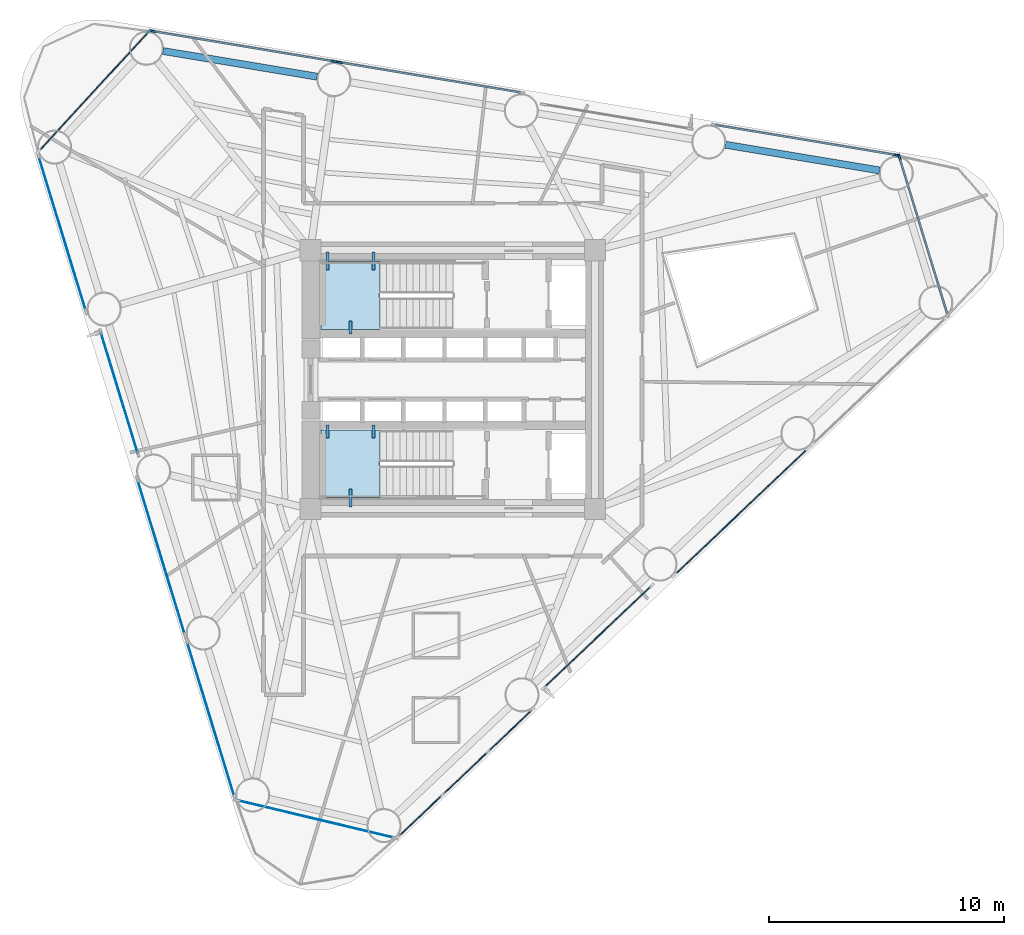
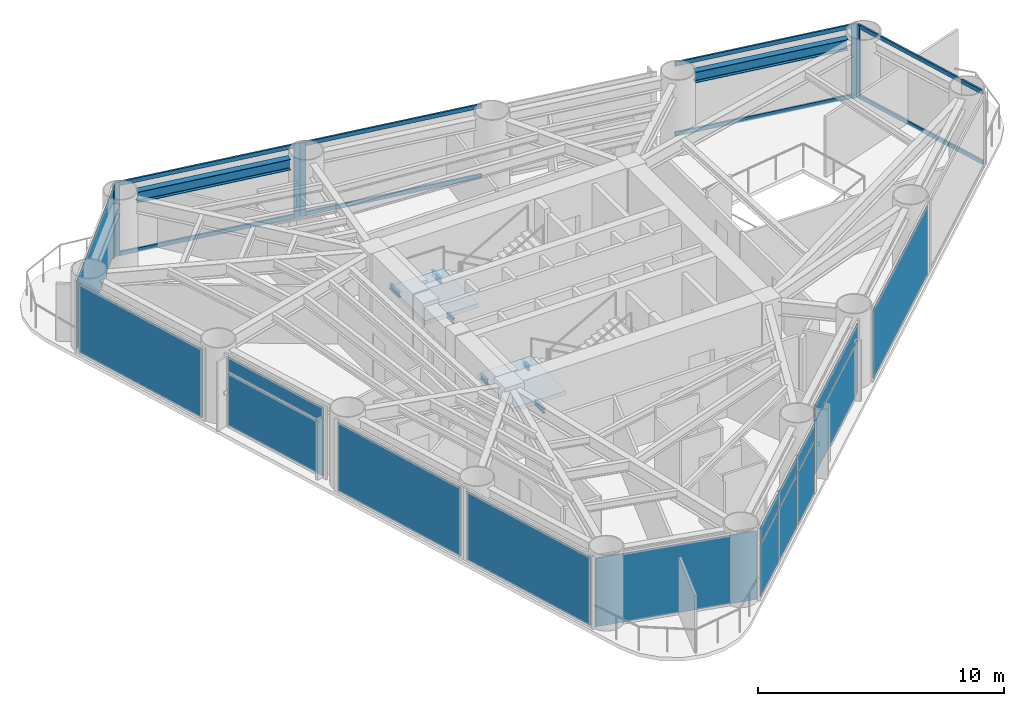
# One storey, part 4 of 10: 16 plates, 14 members, 8 beams, 2 slabs, 15 elements without a shape of their own.
"""IFC4 building model written with IfcOpenShell, lengths in metres."""

import ifcopenshell
import ifcopenshell.guid

model = None  # the IFC model being written
_history = None  # IfcOwnerHistory: only IFC2X3 demands one
_inside = {}  # id of a spatial element -> (the spatial element, [elements in it])
_under = {}  # id of a project, library or spatial element -> (it, [spatial elements below it])
_declared = {}  # id of a project -> (the project, [libraries it declares])
_typed = {}  # id of a type object -> (the type object, [elements of that type])
_made_of = {}  # id of a material, layer set ... -> (it, [elements and type objects made of it])


def new_model(schema):
    """Start an empty IFC model of exactly this schema.

    Asked for "IFC4X3", IfcOpenShell would pick the latest addendum, in which some entities
    have other attributes; the version numbers below select the first issue.
    IFC2X3 requires an IfcOwnerHistory on every rooted entity: one is made here for all.
    """
    global model, _history
    if schema == "IFC4X3":
        model = ifcopenshell.file(schema_version=(4, 3, 0, 0))
    else:
        model = ifcopenshell.file(schema=schema)
    _inside.clear()
    _under.clear()
    _declared.clear()
    _typed.clear()
    _made_of.clear()
    _history = None
    if model.schema == "IFC2X3":
        org = make("IfcOrganization", Name="unknown")
        user = make(
            "IfcPersonAndOrganization",
            ThePerson=make("IfcPerson", FamilyName="unknown"),
            TheOrganization=org,
        )
        app = make(
            "IfcApplication",
            ApplicationDeveloper=org,
            Version="unknown",
            ApplicationFullName="unknown",
            ApplicationIdentifier="unknown",
        )
        _history = make(
            "IfcOwnerHistory",
            OwningUser=user,
            OwningApplication=app,
            ChangeAction="ADDED",
            CreationDate=0,
        )
    return model


def make(cls, **values):
    """One entity of the class cls with the attributes given. An attribute that is None is left unset."""
    return model.create_entity(
        cls, **{name: value for name, value in values.items() if value is not None}
    )


def rooted(cls, **values):
    """An entity with a GlobalId (a new one), such as an element, a storey or a relation."""
    return make(cls, GlobalId=ifcopenshell.guid.new(), OwnerHistory=_history, **values)


def si_unit(unit_type, name, prefix=None):
    """IfcSIUnit, for example si_unit("LENGTHUNIT", "METRE", prefix="MILLI")."""
    return make("IfcSIUnit", UnitType=unit_type, Prefix=prefix, Name=name)


def assignment(units):
    """IfcUnitAssignment: the units of a project."""
    return None if units is None else make("IfcUnitAssignment", Units=units)


def point(xyz):
    """IfcCartesianPoint."""
    return None if xyz is None else make("IfcCartesianPoint", Coordinates=xyz)


def direction(xyz):
    """IfcDirection."""
    return None if xyz is None else make("IfcDirection", DirectionRatios=xyz)


def frame(location, z_axis=None, x_axis=None):
    """IfcAxis2Placement3D, a coordinate frame: its origin and axes. An axis left out is left unset."""
    return make(
        "IfcAxis2Placement3D",
        Location=point(location),
        Axis=direction(z_axis),
        RefDirection=direction(x_axis),
    )


def frame_2d(location, x_axis=None):
    """IfcAxis2Placement2D, a coordinate frame in the plane: its origin and x axis."""
    return make(
        "IfcAxis2Placement2D", Location=point(location), RefDirection=direction(x_axis)
    )


def origin():
    """The frame at (0, 0, 0) with its axes left unset."""
    return frame((0.0, 0.0, 0.0))


def origin_2d():
    """The frame at (0, 0) in the plane with its x axis left unset."""
    return frame_2d((0.0, 0.0))


def place(relative_to, where):
    """IfcLocalPlacement: puts the frame where relative to a parent placement (None: the world)."""
    return make(
        "IfcLocalPlacement", PlacementRelTo=relative_to, RelativePlacement=where
    )


def context(
    kind, dimensions, precision=None, world=None, true_north=None, identifier=None
):
    """IfcGeometricRepresentationContext, for example the 3D "Model" context."""
    return make(
        "IfcGeometricRepresentationContext",
        ContextIdentifier=identifier,
        ContextType=kind,
        CoordinateSpaceDimension=dimensions,
        Precision=precision,
        WorldCoordinateSystem=world,
        TrueNorth=true_north,
    )


def subcontext(parent, identifier, kind, view, scale=None):
    """IfcGeometricRepresentationSubContext, for example "Body" below "Model"."""
    return make(
        "IfcGeometricRepresentationSubContext",
        ContextIdentifier=identifier,
        ContextType=kind,
        ParentContext=parent,
        TargetScale=scale,
        TargetView=view,
    )


def project(units=None, contexts=None):
    """IfcProject with its units and contexts."""
    return rooted(
        "IfcProject",
        Name="project",
        RepresentationContexts=contexts,
        UnitsInContext=assignment(units),
    )


def spatial(cls, under=None, at=None, **own):
    """A site, building, storey or space (cls), placed at a placement, below another one or the project."""
    s = rooted(cls, ObjectPlacement=at, **own)
    if under is not None:
        _under.setdefault(under.id(), (under, []))[1].append(s)
    return s


def polyline(points):
    """IfcPolyline through the points."""
    return make("IfcPolyline", Points=[point(p) for p in points])


def profile(cls, at=None, kind="AREA", **sizes):
    """A parametric profile (cls). Its sizes go by their IFC names, for example OverallWidth=200.0."""
    return make(cls, ProfileType=kind, Position=at, **sizes)


def rectangle(**sizes):
    """IfcRectangleProfileDef."""
    return profile("IfcRectangleProfileDef", **sizes)


def i_section(**sizes):
    """IfcIShapeProfileDef."""
    return profile("IfcIShapeProfileDef", **sizes)


def outline(outer, holes=None, kind="AREA"):
    """IfcArbitraryClosedProfileDef: a profile drawn as a closed curve; with holes, ...WithVoids."""
    if holes is None:
        return make("IfcArbitraryClosedProfileDef", ProfileType=kind, OuterCurve=outer)
    return make(
        "IfcArbitraryProfileDefWithVoids",
        ProfileType=kind,
        OuterCurve=outer,
        InnerCurves=holes,
    )


def extrude(swept, where, along, depth):
    """IfcExtrudedAreaSolid: the profile swept, set in the frame where, extruded along a direction by depth."""
    return make(
        "IfcExtrudedAreaSolid",
        SweptArea=swept,
        Position=where,
        ExtrudedDirection=direction(along),
        Depth=depth,
    )


def shape(context_of_items, identifier, shape_type, items):
    """IfcShapeRepresentation: the items that make up one representation, for example the "Body"."""
    return make(
        "IfcShapeRepresentation",
        ContextOfItems=context_of_items,
        RepresentationIdentifier=identifier,
        RepresentationType=shape_type,
        Items=items,
    )


def source(mapping_origin, context_of_items, identifier, shape_type, items):
    """IfcRepresentationMap: a shape defined once, which mapped items show again and again."""
    return make(
        "IfcRepresentationMap",
        MappingOrigin=mapping_origin,
        MappedRepresentation=shape(context_of_items, identifier, shape_type, items),
    )


def transform(
    local_origin,
    x_axis=None,
    y_axis=None,
    z_axis=None,
    scale=None,
    scale2=None,
    scale3=None,
    uniform=True,
):
    """IfcCartesianTransformationOperator3D, or its non-uniform kind. x_axis, y_axis, z_axis: its Axis1, 2, 3."""
    if uniform:
        return make(
            "IfcCartesianTransformationOperator3D",
            Axis1=direction(x_axis),
            Axis2=direction(y_axis),
            LocalOrigin=point(local_origin),
            Scale=scale,
            Axis3=direction(z_axis),
        )
    return make(
        "IfcCartesianTransformationOperator3DnonUniform",
        Axis1=direction(x_axis),
        Axis2=direction(y_axis),
        LocalOrigin=point(local_origin),
        Scale=scale,
        Axis3=direction(z_axis),
        Scale2=scale2,
        Scale3=scale3,
    )


def mapped(mapping_source, mapping_target):
    """IfcMappedItem: shows the shape of a source again, moved by a transform."""
    return make(
        "IfcMappedItem", MappingSource=mapping_source, MappingTarget=mapping_target
    )


def material(Name=None, Category=None):
    """IfcMaterial."""
    return make("IfcMaterial", Name=Name, Category=Category)


def layer(
    of_material, thickness, ventilated=None, Name=None, Category=None, Priority=None
):
    """IfcMaterialLayer: one layer of a wall or slab, of a material (None: an air gap)."""
    return make(
        "IfcMaterialLayer",
        Material=of_material,
        LayerThickness=thickness,
        IsVentilated=ventilated,
        Name=Name,
        Category=Category,
        Priority=Priority,
    )


def layer_set(layers, Name=None):
    """IfcMaterialLayerSet."""
    return make("IfcMaterialLayerSet", MaterialLayers=layers, LayerSetName=Name)


def material_profile(
    of_material, cross_section, Name=None, Category=None, Priority=None
):
    """IfcMaterialProfile: a cross section and its material."""
    return make(
        "IfcMaterialProfile",
        Name=Name,
        Material=of_material,
        Profile=cross_section,
        Priority=Priority,
        Category=Category,
    )


def profile_set(profiles, Name=None, composite=None):
    """IfcMaterialProfileSet."""
    return make(
        "IfcMaterialProfileSet",
        Name=Name,
        MaterialProfiles=profiles,
        CompositeProfile=composite,
    )


def made_of(thing, what):
    """Note that an element or type object is made of a material, layer set ...; save() writes the relation."""
    if what is not None:
        _made_of.setdefault(what.id(), (what, []))[1].append(thing)
    return thing


def type_object(cls, material=None, **own):
    """A type object (cls), such as IfcWallType, which elements share."""
    return made_of(rooted(cls, **own), material)


def element(
    cls,
    number,
    at=None,
    inside=None,
    cuts=None,
    type_object=None,
    material=None,
    context=None,
    identifier="Body",
    shape_type=None,
    held_by="IfcProductDefinitionShape",
    body=None,
    shapes=None,
    **own,
):
    """One element of the class cls, such as IfcWall. Its Tag is "e" and its number.

    at: its placement. inside: the storey or other place that contains it. cuts: it is an
    opening in that element (IfcRelVoidsElement). A single representation is given by context,
    identifier, shape_type and body (its items); several are given by shapes. held_by: the class
    of the entity that holds the representations. save() writes the other relations.
    """
    e = rooted(cls, Tag="e%d" % number, ObjectPlacement=at, **own)
    if body is not None:
        shapes = [shape(context, identifier, shape_type, body)]
    if shapes is not None:
        e.Representation = make(held_by, Representations=shapes)
    if inside is not None:
        _inside.setdefault(inside.id(), (inside, []))[1].append(e)
    if cuts is not None:
        rooted(
            "IfcRelVoidsElement", RelatingBuildingElement=cuts, RelatedOpeningElement=e
        )
    if type_object is not None:
        _typed.setdefault(type_object.id(), (type_object, []))[1].append(e)
    return made_of(e, material)


def aggregate(whole, parts):
    """IfcRelAggregates: a whole, such as a stair, and the parts it consists of."""
    return rooted("IfcRelAggregates", RelatingObject=whole, RelatedObjects=parts)


def save(model, path):
    """Write the relations noted so far, then the file.

    IfcRelAggregates (storeys below a building ...), IfcRelContainedInSpatialStructure (elements
    in a storey), IfcRelDefinesByType, IfcRelAssociatesMaterial and IfcRelDeclares: one each for
    every whole, place, type object, material and project.
    """
    for whole, parts in _under.values():
        aggregate(whole, parts)
    for where, things in _inside.values():
        rooted(
            "IfcRelContainedInSpatialStructure",
            RelatedElements=things,
            RelatingStructure=where,
        )
    for kind, things in _typed.values():
        rooted("IfcRelDefinesByType", RelatedObjects=things, RelatingType=kind)
    for what, things in _made_of.values():
        rooted("IfcRelAssociatesMaterial", RelatedObjects=things, RelatingMaterial=what)
    for by, libraries in _declared.values():
        rooted("IfcRelDeclares", RelatingContext=by, RelatedDefinitions=libraries)
    model.write(path)


model = new_model("IFC4")

# Units and contexts
model_context = context("Model", 3, precision=1e-05, world=origin(), true_north=direction((0.0, 1.0)))
body_context = subcontext(model_context, "Body", "Model", "MODEL_VIEW")
ifc_project = project(units=[si_unit("LENGTHUNIT", "METRE"), si_unit("AREAUNIT", "SQUARE_METRE"), si_unit("VOLUMEUNIT", "CUBIC_METRE"), si_unit("PLANEANGLEUNIT", "RADIAN"), si_unit("MASSUNIT", "GRAM", prefix="KILO")], contexts=[model_context])

# Site, building, storey
site_placement = place(None, origin())
site = spatial("IfcSite", under=ifc_project, at=site_placement, CompositionType="ELEMENT")
building_placement = place(site_placement, origin())
building = spatial("IfcBuilding", under=site, at=building_placement, Name="Yunling Apex Tower", CompositionType="ELEMENT")
storey_placement = place(building_placement, frame((0.0, 0.0, 93.64990234375)))
storey = spatial("IfcBuildingStorey", under=building, at=storey_placement, Name="L23", CompositionType="ELEMENT", Elevation=93.64990234375)

# Beams
ifc_material_1 = material(Name="Steel Q355B", Category="steel")
ifc_material_profile_1 = material_profile(ifc_material_1, i_section(OverallWidth=0.125, OverallDepth=0.25, WebThickness=0.006103515625, FlangeThickness=0.009033203125, FilletRadius=0.011962890625, at=origin_2d()))
ifc_profile_set_1 = profile_set([ifc_material_profile_1], Name="Steel Q355B")
beam_type_1 = type_object("IfcBeamType", Name="BL-LNT-1", PredefinedType="LINTEL", material=ifc_profile_set_1)
shared_shape_1 = source(origin(), body_context, "Body", "SweptSolid", [
    extrude(i_section(OverallWidth=0.125, OverallDepth=0.25, WebThickness=0.006103515625, FlangeThickness=0.009033203125, FilletRadius=0.011962890625, at=origin_2d()), origin(), (0.0, 0.0, 1.0), 0.760009765625),
])
for number, where, z_axis, x_axis, name in (
    (1, (-5.320068359375, 5.419921875, 1.55517578125), (0.0, -1.0, 0.0), (1.0, 0.0, 0.0), "L23 ST-1 Landing Bearing Corbel 1-1"),
    (2, (-3.3701171875, 5.419921875, 1.55517578125), (0.0, -1.0, 0.0), (1.0, 0.0, 0.0), "L23 ST-1 Landing Bearing Corbel 1-2"),
    (3, (-4.344970703125, -5.419921875, 1.55517578125), (0.0, 1.0, 0.0), (-1.0, 0.0, 0.0), "L23 ST-2 Landing Bearing Corbel 1-3"),
):
    element("IfcBeam", number, at=place(storey_placement, frame(where, z_axis=z_axis, x_axis=x_axis)), inside=storey, type_object=beam_type_1, Name=name, PredefinedType="LINTEL", context=body_context, shape_type="MappedRepresentation", body=[
        mapped(shared_shape_1, transform((0.0, 0.0, 0.0), scale=1.0)),
    ])
shared_shape_2 = source(origin(), body_context, "Body", "SweptSolid", [
    extrude(i_section(OverallWidth=0.125, OverallDepth=0.25, WebThickness=0.006103515625, FlangeThickness=0.009033203125, FilletRadius=0.011962890625, at=origin_2d()), origin(), (0.0, 0.0, 1.0), 0.550048828125),
])
for number, where, z_axis, x_axis, name in (
    (4, (-4.344970703125, 1.93994140625, 1.55517578125), (0.0, 1.0, 0.0), (-1.0, 0.0, 0.0), "L23 ST-1 Landing Bearing Corbel 1-3"),
    (5, (-5.320068359375, -1.93994140625, 1.55517578125), (0.0, -1.0, 0.0), (1.0, 0.0, 0.0), "L23 ST-2 Landing Bearing Corbel 1-1"),
    (6, (-3.3701171875, -1.93994140625, 1.55517578125), (0.0, -1.0, 0.0), (1.0, 0.0, 0.0), "L23 ST-2 Landing Bearing Corbel 1-2"),
):
    element("IfcBeam", number, at=place(storey_placement, frame(where, z_axis=z_axis, x_axis=x_axis)), inside=storey, type_object=beam_type_1, Name=name, PredefinedType="LINTEL", context=body_context, shape_type="MappedRepresentation", body=[
        mapped(shared_shape_2, transform((0.0, 0.0, 0.0), scale=1.0)),
    ])
ifc_material_profile_2 = material_profile(ifc_material_1, i_section(OverallWidth=0.300048828125, OverallDepth=0.5400390625, WebThickness=0.011962890625, FlangeThickness=0.02001953125, FilletRadius=0.02392578125, at=origin_2d()))
ifc_profile_set_2 = profile_set([ifc_material_profile_2], Name="Steel Q355B")
beam_type_2 = type_object("IfcBeamType", Name="BP-SPN-1", PredefinedType="SPANDREL", material=ifc_profile_set_2)
shared_shape_3 = source(origin(), body_context, "Body", "SweptSolid", [
    extrude(i_section(OverallWidth=0.300048828125, OverallDepth=0.5400390625, WebThickness=0.011962890625, FlangeThickness=0.02001953125, FilletRadius=0.02392578125, at=origin_2d()), origin(), (0.0, 0.0, 1.0), 6.641845703125),
])
for number, where, z_axis, x_axis, name in (
    (7, (18.14599609375, 8.89111328125, 3.295166015625), (-0.986396904036, 0.164381105081, 0.0), (-0.164381105081, -0.986396904036, 0.0), "L23 Perimeter Spandrel Beam 6"),
    (8, (-5.763671875, 12.875244140625, 3.295166015625), (-0.986402863526, 0.164345340146, 0.0), (-0.164345340146, -0.986402863526, 0.0), "L23 Perimeter Spandrel Beam 9"),
):
    element("IfcBeam", number, at=place(storey_placement, frame(where, z_axis=z_axis, x_axis=x_axis)), inside=storey, type_object=beam_type_2, Name=name, PredefinedType="SPANDREL", context=body_context, shape_type="MappedRepresentation", body=[
        mapped(shared_shape_3, transform((0.0, 0.0, 0.0), scale=1.0)),
    ])

# Curtain wall, member
ifc_material_2 = material(Name="Bronze anodised aluminium", Category="aluminium")
ifc_layer_1 = layer(ifc_material_2, 0.260009765625)
ifc_layer_set_1 = layer_set([ifc_layer_1], Name="Bronze anodised aluminium")
curtain_wall_type = type_object("IfcCurtainWallType", Name="CW-SYS-2", PredefinedType="NOTDEFINED", material=ifc_layer_set_1)
curtain_wall_1_placement = place(storey_placement, origin())
curtain_wall_1 = element("IfcCurtainWall", 9, at=curtain_wall_1_placement, inside=storey, type_object=curtain_wall_type, Name="CW-L23-CRN1", PredefinedType="NOTDEFINED")
ifc_material_profile_3 = material_profile(ifc_material_2, rectangle(XDim=0.0849609375, YDim=0.260009765625, at=origin_2d()))
ifc_profile_set_3 = profile_set([ifc_material_profile_3], Name="Bronze anodised aluminium")
member_type_1 = type_object("IfcMemberType", Name="CW-MUL-2", PredefinedType="MULLION", material=ifc_profile_set_3)
shared_shape_4 = source(origin(), body_context, "Body", "SweptSolid", [
    extrude(rectangle(XDim=0.0849609375, YDim=0.260009765625, at=origin_2d()), origin(), (0.0, 0.0, 1.0), 3.664794921875),
])
member_1_placement = place(storey_placement, frame((18.9892578125, 9.46240234375, -0.0498046875), z_axis=(0.0, 0.0, 1.0), x_axis=(-0.95630374567, -0.292375009223, 0.0)))
member_1 = element("IfcMember", 10, at=member_1_placement, type_object=member_type_1, Name="CW-SYS-2 mullion 2", PredefinedType="MULLION", context=body_context, shape_type="MappedRepresentation", body=[
    mapped(shared_shape_4, transform((0.0, 0.0, 0.0), scale=1.0)),
])

curtain_wall_2_placement = place(storey_placement, origin())
curtain_wall_2 = element("IfcCurtainWall", 11, at=curtain_wall_2_placement, inside=storey, type_object=curtain_wall_type, Name="CW-L23-F2-B1", PredefinedType="NOTDEFINED")
member_2_placement = place(storey_placement, frame((18.859375, 9.54296875, -0.0498046875), z_axis=(0.0, 0.0, 1.0), x_axis=(-0.16436008369, -0.98640040698, 0.0)))
member_2 = element("IfcMember", 12, at=member_2_placement, type_object=member_type_1, Name="CW-SYS-2 mullion 1", PredefinedType="MULLION", context=body_context, shape_type="MappedRepresentation", body=[
    mapped(shared_shape_4, transform((0.0, 0.0, 0.0), scale=1.0)),
])

curtain_wall_3_placement = place(storey_placement, origin())
curtain_wall_3 = element("IfcCurtainWall", 13, at=curtain_wall_3_placement, inside=storey, type_object=curtain_wall_type, Name="CW-L23-F2-B3", PredefinedType="NOTDEFINED")
member_3_placement = place(storey_placement, frame((-4.80859375, 13.486572265625, -0.0498046875), z_axis=(0.0, 0.0, 1.0), x_axis=(-0.164362130784, -0.986400065878, 0.0)))
member_3 = element("IfcMember", 14, at=member_3_placement, type_object=member_type_1, Name="CW-SYS-2 mullion 2", PredefinedType="MULLION", context=body_context, shape_type="MappedRepresentation", body=[
    mapped(shared_shape_4, transform((0.0, 0.0, 0.0), scale=1.0)),
])

# Curtain wall, members
curtain_wall_4_placement = place(storey_placement, origin())
curtain_wall_4 = element("IfcCurtainWall", 15, at=curtain_wall_4_placement, inside=storey, type_object=curtain_wall_type, Name="CW-L23-F2-B4", PredefinedType="NOTDEFINED")
member_4_placement = place(storey_placement, frame((-5.05029296875, 13.52685546875, -0.0498046875), z_axis=(0.0, 0.0, 1.0), x_axis=(-0.16436008369, -0.98640040698, 0.0)))
member_4 = element("IfcMember", 16, at=member_4_placement, type_object=member_type_1, Name="CW-SYS-2 mullion 1", PredefinedType="MULLION", context=body_context, shape_type="MappedRepresentation", body=[
    mapped(shared_shape_4, transform((0.0, 0.0, 0.0), scale=1.0)),
])
member_5_placement = place(storey_placement, frame((-12.778564453125, 14.814697265625, -0.0498046875), z_axis=(0.0, 0.0, 1.0), x_axis=(-0.16436008369, -0.98640040698, 0.0)))
member_5 = element("IfcMember", 17, at=member_5_placement, type_object=member_type_1, Name="CW-SYS-2 mullion 2", PredefinedType="MULLION", context=body_context, shape_type="MappedRepresentation", body=[
    mapped(shared_shape_4, transform((0.0, 0.0, 0.0), scale=1.0)),
])

# Curtain wall, member
curtain_wall_5_placement = place(storey_placement, origin())
curtain_wall_5 = element("IfcCurtainWall", 18, at=curtain_wall_5_placement, inside=storey, type_object=curtain_wall_type, Name="CW-L23-CRN2", PredefinedType="NOTDEFINED")
member_6_placement = place(storey_placement, frame((-12.931396484375, 14.78369140625, -0.0498046875), z_axis=(0.0, 0.0, 1.0), x_axis=(0.736184624933, -0.676780760669, 0.0)))
member_6 = element("IfcMember", 19, at=member_6_placement, type_object=member_type_1, Name="CW-SYS-2 mullion 1", PredefinedType="MULLION", context=body_context, shape_type="MappedRepresentation", body=[
    mapped(shared_shape_4, transform((0.0, 0.0, 0.0), scale=1.0)),
])

# Member
ifc_material_profile_4 = material_profile(ifc_material_2, rectangle(XDim=0.0849609375, YDim=0.199951171875, at=origin_2d()))
ifc_profile_set_4 = profile_set([ifc_material_profile_4], Name="Bronze anodised aluminium")
member_type_2 = type_object("IfcMemberType", Name="CW-TRN-2", PredefinedType="USERDEFINED", material=ifc_profile_set_4)
shared_shape_5 = source(origin(), body_context, "Body", "SweptSolid", [
    extrude(rectangle(XDim=0.0849609375, YDim=0.199951171875, at=origin_2d()), origin(), (0.0, 0.0, 1.0), 7.75830078125),
])
member_7_placement = place(storey_placement, frame((18.821533203125, 9.549072265625, 0.04248046875), z_axis=(-0.986400726912, 0.164358163615, 0.0), x_axis=(-0.164358163615, -0.986400726912, 0.0)))
member_7 = element("IfcMember", 20, at=member_7_placement, type_object=member_type_2, Name="CW-SYS-2 transom 1.1", ObjectType="TRANSOM", PredefinedType="USERDEFINED", context=body_context, shape_type="MappedRepresentation", body=[
    mapped(shared_shape_5, transform((0.0, 0.0, 0.0), scale=1.0)),
])

member_8_placement = place(storey_placement, frame((18.821533203125, 9.549072265625, 3.522705078125), z_axis=(-0.986400726912, 0.164358163615, 0.0), x_axis=(-0.164358163615, -0.986400726912, 0.0)))
member_8 = element("IfcMember", 21, at=member_8_placement, type_object=member_type_2, Name="CW-SYS-2 transom 1.2", ObjectType="TRANSOM", PredefinedType="USERDEFINED", context=body_context, shape_type="MappedRepresentation", body=[
    mapped(shared_shape_5, transform((0.0, 0.0, 0.0), scale=1.0)),
])

aggregate(curtain_wall_2, [member_2, member_7, member_8])

member_9_placement = place(storey_placement, frame((2.8818359375, 12.205078125, 0.04248046875), z_axis=(-0.986400726912, 0.164358163615, 0.0), x_axis=(-0.164358163615, -0.986400726912, 0.0)))
member_9 = element("IfcMember", 22, at=member_9_placement, type_object=member_type_2, Name="CW-SYS-2 transom 1.1", ObjectType="TRANSOM", PredefinedType="USERDEFINED", context=body_context, shape_type="MappedRepresentation", body=[
    mapped(shared_shape_5, transform((0.0, 0.0, 0.0), scale=1.0)),
])

member_10_placement = place(storey_placement, frame((2.8818359375, 12.205078125, 3.522705078125), z_axis=(-0.986400726912, 0.164358163615, 0.0), x_axis=(-0.164358163615, -0.986400726912, 0.0)))
member_10 = element("IfcMember", 23, at=member_10_placement, type_object=member_type_2, Name="CW-SYS-2 transom 1.2", ObjectType="TRANSOM", PredefinedType="USERDEFINED", context=body_context, shape_type="MappedRepresentation", body=[
    mapped(shared_shape_5, transform((0.0, 0.0, 0.0), scale=1.0)),
])

aggregate(curtain_wall_3, [member_3, member_9, member_10])

member_11_placement = place(storey_placement, frame((-5.088134765625, 13.533203125, 0.04248046875), z_axis=(-0.986400726912, 0.164358163615, 0.0), x_axis=(-0.164358163615, -0.986400726912, 0.0)))
member_11 = element("IfcMember", 24, at=member_11_placement, type_object=member_type_2, Name="CW-SYS-2 transom 1.1", ObjectType="TRANSOM", PredefinedType="USERDEFINED", context=body_context, shape_type="MappedRepresentation", body=[
    mapped(shared_shape_5, transform((0.0, 0.0, 0.0), scale=1.0)),
])

member_12_placement = place(storey_placement, frame((-5.088134765625, 13.533203125, 3.522705078125), z_axis=(-0.986400726912, 0.164358163615, 0.0), x_axis=(-0.164358163615, -0.986400726912, 0.0)))
member_12 = element("IfcMember", 25, at=member_12_placement, type_object=member_type_2, Name="CW-SYS-2 transom 1.2", ObjectType="TRANSOM", PredefinedType="USERDEFINED", context=body_context, shape_type="MappedRepresentation", body=[
    mapped(shared_shape_5, transform((0.0, 0.0, 0.0), scale=1.0)),
])

aggregate(curtain_wall_4, [member_4, member_5, member_11, member_12])

shared_shape_6 = source(origin(), body_context, "Body", "SweptSolid", [
    extrude(rectangle(XDim=0.0849609375, YDim=0.199951171875, at=origin_2d()), origin(), (0.0, 0.0, 1.0), 6.91748046875),
])
member_13_placement = place(storey_placement, frame((21.02294921875, 2.810546875, 0.04248046875), z_axis=(-0.292369169584, 0.956305531029, 0.0), x_axis=(-0.956305531029, -0.292369169584, 0.0)))
member_13 = element("IfcMember", 26, at=member_13_placement, type_object=member_type_2, Name="CW-SYS-2 transom 1.1", ObjectType="TRANSOM", PredefinedType="USERDEFINED", context=body_context, shape_type="MappedRepresentation", body=[
    mapped(shared_shape_6, transform((0.0, 0.0, 0.0), scale=1.0)),
])

member_14_placement = place(storey_placement, frame((21.02294921875, 2.810546875, 3.522705078125), z_axis=(-0.292369169584, 0.956305531029, 0.0), x_axis=(-0.956305531029, -0.292369169584, 0.0)))
member_14 = element("IfcMember", 27, at=member_14_placement, type_object=member_type_2, Name="CW-SYS-2 transom 1.2", ObjectType="TRANSOM", PredefinedType="USERDEFINED", context=body_context, shape_type="MappedRepresentation", body=[
    mapped(shared_shape_6, transform((0.0, 0.0, 0.0), scale=1.0)),
])

aggregate(curtain_wall_1, [member_1, member_13, member_14])

# Stair, slab
ifc_material_3 = material(Name="Concrete C40", Category="concrete")
stair_type = type_object("IfcStairType", Name="ST-TWR-1", PredefinedType="HALF_TURN_STAIR", material=ifc_material_3)
stair_1_placement = place(storey_placement, origin())
stair_1 = element("IfcStair", 28, at=stair_1_placement, inside=storey, type_object=stair_type, Name="L23 North Core Smokeproof Exit Stair ST-1", PredefinedType="HALF_TURN_STAIR")
ifc_layer_2 = layer(ifc_material_3, 0.195068359375)
ifc_layer_set_2 = layer_set([ifc_layer_2], Name="Concrete C40")
slab_type = type_object("IfcSlabType", Name="SL-LND-1", PredefinedType="LANDING", material=ifc_layer_set_2)
slab_1_placement = place(storey_placement, frame((0.0, 0.0, 1.68017578125)))
slab_1 = element("IfcSlab", 29, at=slab_1_placement, type_object=slab_type, Name="ST-1 landing 1", PredefinedType="LANDING", context=body_context, shape_type="SweptSolid", body=[
    extrude(outline(polyline([(-3.090087890625, 5.010009765625), (-5.60009765625, 5.010009765625), (-5.60009765625, 2.139892578125), (-3.090087890625, 2.139892578125), (-3.090087890625, 5.010009765625)])), origin(), (0.0, 0.0, 1.0), 0.19482421875),
])
aggregate(stair_1, [slab_1])

stair_2_placement = place(storey_placement, origin())
stair_2 = element("IfcStair", 30, at=stair_2_placement, inside=storey, type_object=stair_type, Name="L23 South Core Smokeproof Exit Stair ST-2", PredefinedType="HALF_TURN_STAIR")
slab_2_placement = place(storey_placement, frame((0.0, 0.0, 1.68017578125)))
slab_2 = element("IfcSlab", 31, at=slab_2_placement, type_object=slab_type, Name="ST-2 landing 1", PredefinedType="LANDING", context=body_context, shape_type="SweptSolid", body=[
    extrude(outline(polyline([(-3.090087890625, -2.139892578125), (-5.60009765625, -2.139892578125), (-5.60009765625, -5.010009765625), (-3.090087890625, -5.010009765625), (-3.090087890625, -2.139892578125)])), origin(), (0.0, 0.0, 1.0), 0.19482421875),
])
aggregate(stair_2, [slab_2])

# Curtain wall, plates
curtain_wall_6_placement = place(storey_placement, origin())
curtain_wall_6 = element("IfcCurtainWall", 32, at=curtain_wall_6_placement, inside=storey, type_object=curtain_wall_type, Name="CW-L23-F1-B1", PredefinedType="NOTDEFINED")
ifc_material_4 = material(Name="Bronze tinted low-E glass", Category="glass")
ifc_layer_3 = layer(ifc_material_4, 0.033935546875)
ifc_layer_set_3 = layer_set([ifc_layer_3], Name="Bronze tinted low-E glass")
plate_type = type_object("IfcPlateType", Name="CW-PNL-2", PredefinedType="CURTAIN_PANEL", material=ifc_layer_set_3)
shared_shape_7 = source(origin(), body_context, "Body", "SweptSolid", [
    extrude(rectangle(XDim=2.52880859375, YDim=0.033935546875, at=origin_2d()), origin(), (0.0, 0.0, 1.0), 2.60400390625),
])
plate_1_placement = place(storey_placement, frame((-1.366943359375, -18.5341796875, 0.076904296875), z_axis=(0.0, 0.0, 1.0), x_axis=(0.72584218686, 0.687861264918, 0.0)))
plate_1 = element("IfcPlate", 33, at=plate_1_placement, type_object=plate_type, Name="CW-SYS-2 panel 1.1", PredefinedType="CURTAIN_PANEL", context=body_context, shape_type="MappedRepresentation", body=[
    mapped(shared_shape_7, transform((0.0, 0.0, 0.0), scale=1.0)),
])
plate_2_placement = place(storey_placement, frame((2.4345703125, -14.931640625, 0.076904296875), z_axis=(0.0, 0.0, 1.0), x_axis=(0.72584218686, 0.687861264918, 0.0)))
plate_2 = element("IfcPlate", 34, at=plate_2_placement, type_object=plate_type, Name="CW-SYS-2 panel 3.1", PredefinedType="CURTAIN_PANEL", context=body_context, shape_type="MappedRepresentation", body=[
    mapped(shared_shape_7, transform((0.0, 0.0, 0.0), scale=1.0)),
])
shared_shape_8 = source(origin(), body_context, "Body", "SweptSolid", [
    extrude(rectangle(XDim=2.52880859375, YDim=0.033935546875, at=origin_2d()), origin(), (0.0, 0.0, 1.0), 0.739013671875),
])
plate_3_placement = place(storey_placement, frame((-1.366943359375, -18.5341796875, 2.74951171875), z_axis=(0.0, 0.0, 1.0), x_axis=(0.72584218686, 0.687861264918, 0.0)))
plate_3 = element("IfcPlate", 35, at=plate_3_placement, type_object=plate_type, Name="CW-SYS-2 panel 1.2", PredefinedType="CURTAIN_PANEL", context=body_context, shape_type="MappedRepresentation", body=[
    mapped(shared_shape_8, transform((0.0, 0.0, 0.0), scale=1.0)),
])
plate_4_placement = place(storey_placement, frame((2.4345703125, -14.931640625, 2.74951171875), z_axis=(0.0, 0.0, 1.0), x_axis=(0.72584218686, 0.687861264918, 0.0)))
plate_4 = element("IfcPlate", 36, at=plate_4_placement, type_object=plate_type, Name="CW-SYS-2 panel 3.2", PredefinedType="CURTAIN_PANEL", context=body_context, shape_type="MappedRepresentation", body=[
    mapped(shared_shape_8, transform((0.0, 0.0, 0.0), scale=1.0)),
])
shared_shape_9 = source(origin(), body_context, "Body", "SweptSolid", [
    extrude(rectangle(XDim=2.571533203125, YDim=0.033935546875, at=origin_2d()), origin(), (0.0, 0.0, 1.0), 2.60400390625),
])
plate_5_placement = place(storey_placement, frame((0.53369140625, -16.73291015625, 0.076904296875), z_axis=(0.0, 0.0, 1.0), x_axis=(0.72584218686, 0.687861264918, 0.0)))
plate_5 = element("IfcPlate", 37, at=plate_5_placement, type_object=plate_type, Name="CW-SYS-2 panel 2.1", PredefinedType="CURTAIN_PANEL", context=body_context, shape_type="MappedRepresentation", body=[
    mapped(shared_shape_9, transform((0.0, 0.0, 0.0), scale=1.0)),
])
shared_shape_10 = source(origin(), body_context, "Body", "SweptSolid", [
    extrude(rectangle(XDim=2.571533203125, YDim=0.033935546875, at=origin_2d()), origin(), (0.0, 0.0, 1.0), 0.739013671875),
])
plate_6_placement = place(storey_placement, frame((0.53369140625, -16.73291015625, 2.74951171875), z_axis=(0.0, 0.0, 1.0), x_axis=(0.72584218686, 0.687861264918, 0.0)))
plate_6 = element("IfcPlate", 38, at=plate_6_placement, type_object=plate_type, Name="CW-SYS-2 panel 2.2", PredefinedType="CURTAIN_PANEL", context=body_context, shape_type="MappedRepresentation", body=[
    mapped(shared_shape_10, transform((0.0, 0.0, 0.0), scale=1.0)),
])
aggregate(curtain_wall_6, [plate_1, plate_3, plate_5, plate_6, plate_2, plate_4])

curtain_wall_7_placement = place(storey_placement, origin())
curtain_wall_7 = element("IfcCurtainWall", 39, at=curtain_wall_7_placement, inside=storey, type_object=curtain_wall_type, Name="CW-L23-F1-B2", PredefinedType="NOTDEFINED")
shared_shape_11 = source(origin(), body_context, "Body", "SweptSolid", [
    extrude(rectangle(XDim=6.236328125, YDim=0.033935546875, at=origin_2d()), origin(), (0.0, 0.0, 1.0), 2.60400390625),
])
plate_7_placement = place(storey_placement, frame((6.16455078125, -10.928466796875, 0.076904296875), z_axis=(0.0, 0.0, 1.0), x_axis=(0.725858092234, 0.687844480924, 0.0)))
plate_7 = element("IfcPlate", 40, at=plate_7_placement, type_object=plate_type, Name="CW-SYS-2 panel 1.1", PredefinedType="CURTAIN_PANEL", context=body_context, shape_type="MappedRepresentation", body=[
    mapped(shared_shape_11, transform((0.0, 0.0, 0.0), scale=1.0)),
])
shared_shape_12 = source(origin(), body_context, "Body", "SweptSolid", [
    extrude(rectangle(XDim=6.236328125, YDim=0.033935546875, at=origin_2d()), origin(), (0.0, 0.0, 1.0), 0.739013671875),
])
plate_8_placement = place(storey_placement, frame((6.16455078125, -10.928466796875, 2.74951171875), z_axis=(0.0, 0.0, 1.0), x_axis=(0.725858092234, 0.687844480924, 0.0)))
plate_8 = element("IfcPlate", 41, at=plate_8_placement, type_object=plate_type, Name="CW-SYS-2 panel 1.2", PredefinedType="CURTAIN_PANEL", context=body_context, shape_type="MappedRepresentation", body=[
    mapped(shared_shape_12, transform((0.0, 0.0, 0.0), scale=1.0)),
])
aggregate(curtain_wall_7, [plate_7, plate_8])

# Curtain wall, plate
curtain_wall_8_placement = place(storey_placement, origin())
curtain_wall_8 = element("IfcCurtainWall", 42, at=curtain_wall_8_placement, inside=storey, type_object=curtain_wall_type, Name="CW-L23-F1-B3", PredefinedType="NOTDEFINED")
shared_shape_13 = source(origin(), body_context, "Body", "SweptSolid", [
    extrude(rectangle(XDim=7.766357421875, YDim=0.033935546875, at=origin_2d()), origin(), (0.0, 0.0, 1.0), 3.41162109375),
])
plate_9_placement = place(storey_placement, frame((12.26318359375, -5.61767578125, 0.076904296875), z_axis=(0.0, 0.0, 1.0), x_axis=(0.72584218686, 0.687861264918, 0.0)))
plate_9 = element("IfcPlate", 43, at=plate_9_placement, type_object=plate_type, Name="CW-SYS-2 panel 1.1", PredefinedType="CURTAIN_PANEL", context=body_context, shape_type="MappedRepresentation", body=[
    mapped(shared_shape_13, transform((0.0, 0.0, 0.0), scale=1.0)),
])
aggregate(curtain_wall_8, [plate_9])

# Plate
shared_shape_14 = source(origin(), body_context, "Body", "SweptSolid", [
    extrude(rectangle(XDim=6.83935546875, YDim=0.033935546875, at=origin_2d()), origin(), (0.0, 0.0, 1.0), 3.41162109375),
])
plate_10_placement = place(storey_placement, frame((-15.26904296875, 12.240966796875, 0.076904296875), z_axis=(0.0, 0.0, 1.0), x_axis=(-0.676780760669, -0.736184624933, 0.0)))
plate_10 = element("IfcPlate", 44, at=plate_10_placement, type_object=plate_type, Name="CW-SYS-2 panel 1.1", PredefinedType="CURTAIN_PANEL", context=body_context, shape_type="MappedRepresentation", body=[
    mapped(shared_shape_14, transform((0.0, 0.0, 0.0), scale=1.0)),
])

aggregate(curtain_wall_5, [member_6, plate_10])

# Curtain wall, plate
curtain_wall_9_placement = place(storey_placement, origin())
curtain_wall_9 = element("IfcCurtainWall", 45, at=curtain_wall_9_placement, inside=storey, type_object=curtain_wall_type, Name="CW-L23-CRN3", PredefinedType="NOTDEFINED")
plate_11_placement = place(storey_placement, frame((-5.8134765625, -18.6865234375, 0.076904296875), z_axis=(0.0, 0.0, 1.0), x_axis=(0.972740811528, -0.23189504865, 0.0)))
plate_11 = element("IfcPlate", 46, at=plate_11_placement, type_object=plate_type, Name="CW-SYS-2 panel 1.1", PredefinedType="CURTAIN_PANEL", context=body_context, shape_type="MappedRepresentation", body=[
    mapped(shared_shape_14, transform((0.0, 0.0, 0.0), scale=1.0)),
])
aggregate(curtain_wall_9, [plate_11])

curtain_wall_10_placement = place(storey_placement, origin())
curtain_wall_10 = element("IfcCurtainWall", 47, at=curtain_wall_10_placement, inside=storey, type_object=curtain_wall_type, Name="CW-L23-F3-B1", PredefinedType="NOTDEFINED")
shared_shape_15 = source(origin(), body_context, "Body", "SweptSolid", [
    extrude(rectangle(XDim=6.88671875, YDim=0.033935546875, at=origin_2d()), origin(), (0.0, 0.0, 1.0), 3.41162109375),
])
plate_12_placement = place(storey_placement, frame((-16.601806640625, 6.21826171875, 0.076904296875), z_axis=(0.0, 0.0, 1.0), x_axis=(0.292372619321, -0.956304476342, 0.0)))
plate_12 = element("IfcPlate", 48, at=plate_12_placement, type_object=plate_type, Name="CW-SYS-2 panel 1.1", PredefinedType="CURTAIN_PANEL", context=body_context, shape_type="MappedRepresentation", body=[
    mapped(shared_shape_15, transform((0.0, 0.0, 0.0), scale=1.0)),
])
aggregate(curtain_wall_10, [plate_12])

curtain_wall_11_placement = place(storey_placement, origin())
curtain_wall_11 = element("IfcCurtainWall", 49, at=curtain_wall_11_placement, inside=storey, type_object=curtain_wall_type, Name="CW-L23-F3-B3", PredefinedType="NOTDEFINED")
plate_13_placement = place(storey_placement, frame((-12.3916015625, -7.552978515625, 0.076904296875), z_axis=(0.0, 0.0, 1.0), x_axis=(0.292372619321, -0.956304476342, 0.0)))
plate_13 = element("IfcPlate", 50, at=plate_13_placement, type_object=plate_type, Name="CW-SYS-2 panel 1.1", PredefinedType="CURTAIN_PANEL", context=body_context, shape_type="MappedRepresentation", body=[
    mapped(shared_shape_15, transform((0.0, 0.0, 0.0), scale=1.0)),
])
aggregate(curtain_wall_11, [plate_13])

curtain_wall_12_placement = place(storey_placement, origin())
curtain_wall_12 = element("IfcCurtainWall", 51, at=curtain_wall_12_placement, inside=storey, type_object=curtain_wall_type, Name="CW-L23-F3-B4", PredefinedType="NOTDEFINED")
plate_14_placement = place(storey_placement, frame((-10.286376953125, -14.438720703125, 0.076904296875), z_axis=(0.0, 0.0, 1.0), x_axis=(0.292372619321, -0.956304476342, 0.0)))
plate_14 = element("IfcPlate", 52, at=plate_14_placement, type_object=plate_type, Name="CW-SYS-2 panel 1.1", PredefinedType="CURTAIN_PANEL", context=body_context, shape_type="MappedRepresentation", body=[
    mapped(shared_shape_15, transform((0.0, 0.0, 0.0), scale=1.0)),
])
aggregate(curtain_wall_12, [plate_14])

# Curtain wall, plates
curtain_wall_13_placement = place(storey_placement, origin())
curtain_wall_13 = element("IfcCurtainWall", 53, at=curtain_wall_13_placement, inside=storey, type_object=curtain_wall_type, Name="CW-L23-F3-B2", PredefinedType="NOTDEFINED")
shared_shape_16 = source(origin(), body_context, "Body", "SweptSolid", [
    extrude(rectangle(XDim=5.356689453125, YDim=0.033935546875, at=origin_2d()), origin(), (0.0, 0.0, 1.0), 2.60400390625),
])
plate_15_placement = place(storey_placement, frame((-14.17138671875, -0.56787109375, 0.076904296875), z_axis=(0.0, 0.0, 1.0), x_axis=(0.292363767199, -0.956307182672, 0.0)))
plate_15 = element("IfcPlate", 54, at=plate_15_placement, type_object=plate_type, Name="CW-SYS-2 panel 1.1", PredefinedType="CURTAIN_PANEL", context=body_context, shape_type="MappedRepresentation", body=[
    mapped(shared_shape_16, transform((0.0, 0.0, 0.0), scale=1.0)),
])
shared_shape_17 = source(origin(), body_context, "Body", "SweptSolid", [
    extrude(rectangle(XDim=5.356689453125, YDim=0.033935546875, at=origin_2d()), origin(), (0.0, 0.0, 1.0), 0.739013671875),
])
plate_16_placement = place(storey_placement, frame((-14.17138671875, -0.56787109375, 2.74951171875), z_axis=(0.0, 0.0, 1.0), x_axis=(0.292363767199, -0.956307182672, 0.0)))
plate_16 = element("IfcPlate", 55, at=plate_16_placement, type_object=plate_type, Name="CW-SYS-2 panel 1.2", PredefinedType="CURTAIN_PANEL", context=body_context, shape_type="MappedRepresentation", body=[
    mapped(shared_shape_17, transform((0.0, 0.0, 0.0), scale=1.0)),
])
aggregate(curtain_wall_13, [plate_15, plate_16])

save(model, "model.ifc")
